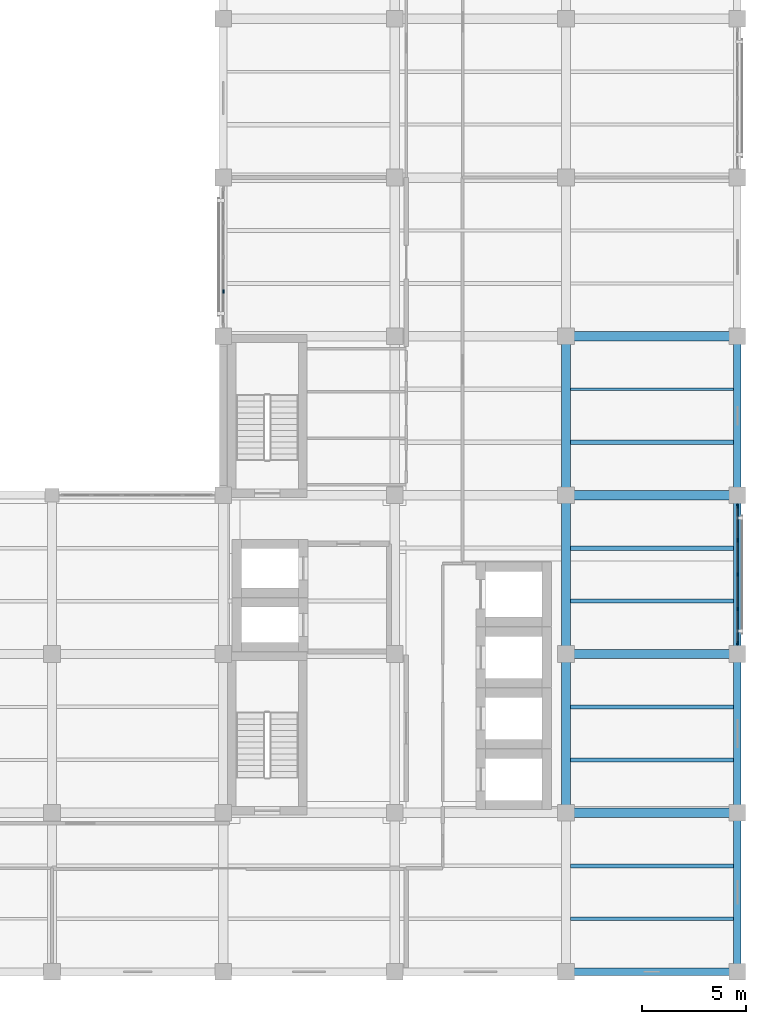
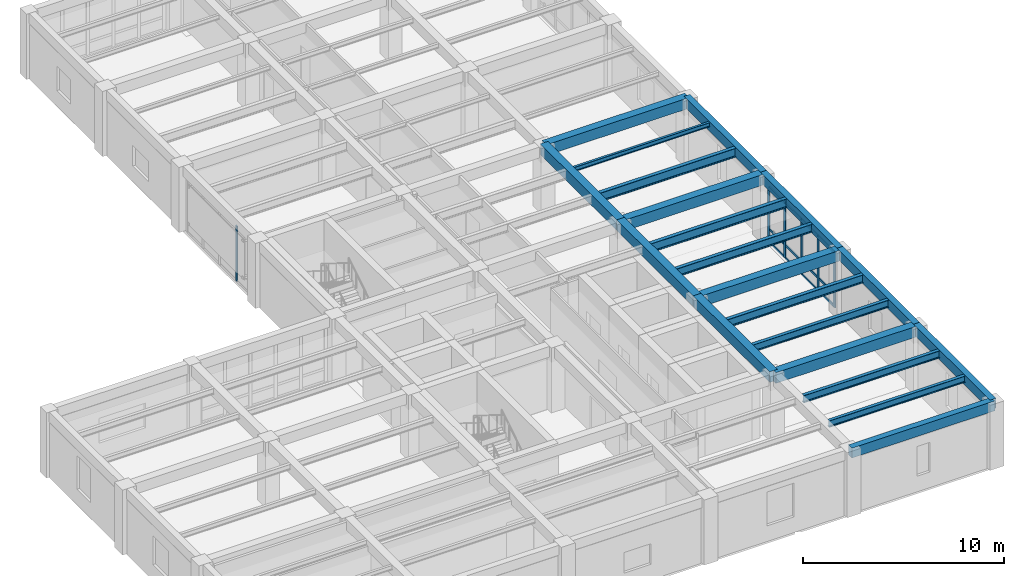
# One storey, part 3 of 13: 20 beams, 18 members, 2 elements without a shape of their own.
"""IFC4 building model written with IfcOpenShell, lengths in metres."""

import ifcopenshell
import ifcopenshell.guid

model = None  # the IFC model being written
_history = None  # IfcOwnerHistory: only IFC2X3 demands one
_inside = {}  # id of a spatial element -> (the spatial element, [elements in it])
_under = {}  # id of a project, library or spatial element -> (it, [spatial elements below it])
_declared = {}  # id of a project -> (the project, [libraries it declares])
_typed = {}  # id of a type object -> (the type object, [elements of that type])
_made_of = {}  # id of a material, layer set ... -> (it, [elements and type objects made of it])


def new_model(schema):
    """Start an empty IFC model of exactly this schema.

    Asked for "IFC4X3", IfcOpenShell would pick the latest addendum, in which some entities
    have other attributes; the version numbers below select the first issue.
    IFC2X3 requires an IfcOwnerHistory on every rooted entity: one is made here for all.
    """
    global model, _history
    if schema == "IFC4X3":
        model = ifcopenshell.file(schema_version=(4, 3, 0, 0))
    else:
        model = ifcopenshell.file(schema=schema)
    _inside.clear()
    _under.clear()
    _declared.clear()
    _typed.clear()
    _made_of.clear()
    _history = None
    if model.schema == "IFC2X3":
        org = make("IfcOrganization", Name="unknown")
        user = make(
            "IfcPersonAndOrganization",
            ThePerson=make("IfcPerson", FamilyName="unknown"),
            TheOrganization=org,
        )
        app = make(
            "IfcApplication",
            ApplicationDeveloper=org,
            Version="unknown",
            ApplicationFullName="unknown",
            ApplicationIdentifier="unknown",
        )
        _history = make(
            "IfcOwnerHistory",
            OwningUser=user,
            OwningApplication=app,
            ChangeAction="ADDED",
            CreationDate=0,
        )
    return model


def make(cls, **values):
    """One entity of the class cls with the attributes given. An attribute that is None is left unset."""
    return model.create_entity(
        cls, **{name: value for name, value in values.items() if value is not None}
    )


def rooted(cls, **values):
    """An entity with a GlobalId (a new one), such as an element, a storey or a relation."""
    return make(cls, GlobalId=ifcopenshell.guid.new(), OwnerHistory=_history, **values)


def si_unit(unit_type, name, prefix=None):
    """IfcSIUnit, for example si_unit("LENGTHUNIT", "METRE", prefix="MILLI")."""
    return make("IfcSIUnit", UnitType=unit_type, Prefix=prefix, Name=name)


def assignment(units):
    """IfcUnitAssignment: the units of a project."""
    return None if units is None else make("IfcUnitAssignment", Units=units)


def point(xyz):
    """IfcCartesianPoint."""
    return None if xyz is None else make("IfcCartesianPoint", Coordinates=xyz)


def direction(xyz):
    """IfcDirection."""
    return None if xyz is None else make("IfcDirection", DirectionRatios=xyz)


def frame(location, z_axis=None, x_axis=None):
    """IfcAxis2Placement3D, a coordinate frame: its origin and axes. An axis left out is left unset."""
    return make(
        "IfcAxis2Placement3D",
        Location=point(location),
        Axis=direction(z_axis),
        RefDirection=direction(x_axis),
    )


def frame_2d(location, x_axis=None):
    """IfcAxis2Placement2D, a coordinate frame in the plane: its origin and x axis."""
    return make(
        "IfcAxis2Placement2D", Location=point(location), RefDirection=direction(x_axis)
    )


def origin():
    """The frame at (0, 0, 0) with its axes left unset."""
    return frame((0.0, 0.0, 0.0))


def origin_2d():
    """The frame at (0, 0) in the plane with its x axis left unset."""
    return frame_2d((0.0, 0.0))


def place(relative_to, where):
    """IfcLocalPlacement: puts the frame where relative to a parent placement (None: the world)."""
    return make(
        "IfcLocalPlacement", PlacementRelTo=relative_to, RelativePlacement=where
    )


def context(
    kind, dimensions, precision=None, world=None, true_north=None, identifier=None
):
    """IfcGeometricRepresentationContext, for example the 3D "Model" context."""
    return make(
        "IfcGeometricRepresentationContext",
        ContextIdentifier=identifier,
        ContextType=kind,
        CoordinateSpaceDimension=dimensions,
        Precision=precision,
        WorldCoordinateSystem=world,
        TrueNorth=true_north,
    )


def subcontext(parent, identifier, kind, view, scale=None):
    """IfcGeometricRepresentationSubContext, for example "Body" below "Model"."""
    return make(
        "IfcGeometricRepresentationSubContext",
        ContextIdentifier=identifier,
        ContextType=kind,
        ParentContext=parent,
        TargetScale=scale,
        TargetView=view,
    )


def project(units=None, contexts=None):
    """IfcProject with its units and contexts."""
    return rooted(
        "IfcProject",
        Name="project",
        RepresentationContexts=contexts,
        UnitsInContext=assignment(units),
    )


def spatial(cls, under=None, at=None, **own):
    """A site, building, storey or space (cls), placed at a placement, below another one or the project."""
    s = rooted(cls, ObjectPlacement=at, **own)
    if under is not None:
        _under.setdefault(under.id(), (under, []))[1].append(s)
    return s


def profile(cls, at=None, kind="AREA", **sizes):
    """A parametric profile (cls). Its sizes go by their IFC names, for example OverallWidth=200.0."""
    return make(cls, ProfileType=kind, Position=at, **sizes)


def rectangle(**sizes):
    """IfcRectangleProfileDef."""
    return profile("IfcRectangleProfileDef", **sizes)


def i_section(**sizes):
    """IfcIShapeProfileDef."""
    return profile("IfcIShapeProfileDef", **sizes)


def extrude(swept, where, along, depth):
    """IfcExtrudedAreaSolid: the profile swept, set in the frame where, extruded along a direction by depth."""
    return make(
        "IfcExtrudedAreaSolid",
        SweptArea=swept,
        Position=where,
        ExtrudedDirection=direction(along),
        Depth=depth,
    )


def shape(context_of_items, identifier, shape_type, items):
    """IfcShapeRepresentation: the items that make up one representation, for example the "Body"."""
    return make(
        "IfcShapeRepresentation",
        ContextOfItems=context_of_items,
        RepresentationIdentifier=identifier,
        RepresentationType=shape_type,
        Items=items,
    )


def material(Name=None, Category=None):
    """IfcMaterial."""
    return make("IfcMaterial", Name=Name, Category=Category)


def material_profile(
    of_material, cross_section, Name=None, Category=None, Priority=None
):
    """IfcMaterialProfile: a cross section and its material."""
    return make(
        "IfcMaterialProfile",
        Name=Name,
        Material=of_material,
        Profile=cross_section,
        Priority=Priority,
        Category=Category,
    )


def profile_set(profiles, Name=None, composite=None):
    """IfcMaterialProfileSet."""
    return make(
        "IfcMaterialProfileSet",
        Name=Name,
        MaterialProfiles=profiles,
        CompositeProfile=composite,
    )


def made_of(thing, what):
    """Note that an element or type object is made of a material, layer set ...; save() writes the relation."""
    if what is not None:
        _made_of.setdefault(what.id(), (what, []))[1].append(thing)
    return thing


def type_object(cls, material=None, **own):
    """A type object (cls), such as IfcWallType, which elements share."""
    return made_of(rooted(cls, **own), material)


def element(
    cls,
    number,
    at=None,
    inside=None,
    cuts=None,
    type_object=None,
    material=None,
    context=None,
    identifier="Body",
    shape_type=None,
    held_by="IfcProductDefinitionShape",
    body=None,
    shapes=None,
    **own,
):
    """One element of the class cls, such as IfcWall. Its Tag is "e" and its number.

    at: its placement. inside: the storey or other place that contains it. cuts: it is an
    opening in that element (IfcRelVoidsElement). A single representation is given by context,
    identifier, shape_type and body (its items); several are given by shapes. held_by: the class
    of the entity that holds the representations. save() writes the other relations.
    """
    e = rooted(cls, Tag="e%d" % number, ObjectPlacement=at, **own)
    if body is not None:
        shapes = [shape(context, identifier, shape_type, body)]
    if shapes is not None:
        e.Representation = make(held_by, Representations=shapes)
    if inside is not None:
        _inside.setdefault(inside.id(), (inside, []))[1].append(e)
    if cuts is not None:
        rooted(
            "IfcRelVoidsElement", RelatingBuildingElement=cuts, RelatedOpeningElement=e
        )
    if type_object is not None:
        _typed.setdefault(type_object.id(), (type_object, []))[1].append(e)
    return made_of(e, material)


def aggregate(whole, parts):
    """IfcRelAggregates: a whole, such as a stair, and the parts it consists of."""
    return rooted("IfcRelAggregates", RelatingObject=whole, RelatedObjects=parts)


def save(model, path):
    """Write the relations noted so far, then the file.

    IfcRelAggregates (storeys below a building ...), IfcRelContainedInSpatialStructure (elements
    in a storey), IfcRelDefinesByType, IfcRelAssociatesMaterial and IfcRelDeclares: one each for
    every whole, place, type object, material and project.
    """
    for whole, parts in _under.values():
        aggregate(whole, parts)
    for where, things in _inside.values():
        rooted(
            "IfcRelContainedInSpatialStructure",
            RelatedElements=things,
            RelatingStructure=where,
        )
    for kind, things in _typed.values():
        rooted("IfcRelDefinesByType", RelatedObjects=things, RelatingType=kind)
    for what, things in _made_of.values():
        rooted("IfcRelAssociatesMaterial", RelatedObjects=things, RelatingMaterial=what)
    for by, libraries in _declared.values():
        rooted("IfcRelDeclares", RelatingContext=by, RelatedDefinitions=libraries)
    model.write(path)


model = new_model("IFC4")

# Units and contexts
model_context = context("Model", 3, precision=1e-05, world=origin(), true_north=direction((0.0, 1.0)))
body_context = subcontext(model_context, "Body", "Model", "MODEL_VIEW")
ifc_project = project(units=[si_unit("LENGTHUNIT", "METRE"), si_unit("AREAUNIT", "SQUARE_METRE"), si_unit("VOLUMEUNIT", "CUBIC_METRE"), si_unit("PLANEANGLEUNIT", "RADIAN"), si_unit("MASSUNIT", "GRAM", prefix="KILO")], contexts=[model_context])

# Site, building, storey
site_placement = place(None, origin())
site = spatial("IfcSite", under=ifc_project, at=site_placement, CompositionType="ELEMENT")
building_placement = place(site_placement, origin())
building = spatial("IfcBuilding", under=site, at=building_placement, Name="Qandaris Square Conservatory and Botanical Centre", CompositionType="ELEMENT")
storey_placement = place(building_placement, frame((0.0, 0.0, 45.0)))
storey = spatial("IfcBuildingStorey", under=building, at=storey_placement, Name="L10", CompositionType="ELEMENT", Elevation=45.0)

# Beams
ifc_material_1 = material(Name="Steel S355", Category="steel")
ifc_material_profile_1 = material_profile(ifc_material_1, i_section(OverallWidth=0.18994140625, OverallDepth=0.449951171875, WebThickness=0.009521484375, FlangeThickness=0.0146484375, FilletRadius=0.02099609375, at=origin_2d()), Name="IPE 450")
ifc_profile_set_1 = profile_set([ifc_material_profile_1], Name="Steel S355")
beam_type_1 = type_object("IfcBeamType", Name="Composite Archive Joist IPE 450", PredefinedType="JOIST", material=ifc_profile_set_1)
for number, where, z_axis, x_axis, name in (
    (1, (155.824951171875, 21.666748046875, 3.715087890625), (1.0, 0.0, 0.0), (0.0, 1.0, 0.0), "L10 Composite Joist 2530"),
    (2, (155.824951171875, 26.7333984375, 3.715087890625), (1.0, 0.0, 0.0), (0.0, 1.0, 0.0), "L10 Composite Joist 2531"),
):
    element("IfcBeam", number, at=place(storey_placement, frame(where, z_axis=z_axis, x_axis=x_axis)), inside=storey, type_object=beam_type_1, Name=name, PredefinedType="JOIST", context=body_context, shape_type="SweptSolid", body=[
        extrude(i_section(OverallWidth=0.18994140625, OverallDepth=0.449951171875, WebThickness=0.009521484375, FlangeThickness=0.0146484375, FilletRadius=0.02099609375, at=origin_2d()), origin(), (0.0, 0.0, 1.0), 7.800048828125),
    ])
ifc_material_profile_2 = material_profile(ifc_material_1, i_section(OverallWidth=0.199951171875, OverallDepth=0.5, WebThickness=0.01025390625, FlangeThickness=0.01611328125, FilletRadius=0.02099609375, at=origin_2d()), Name="IPE 500")
ifc_profile_set_2 = profile_set([ifc_material_profile_2], Name="Steel S355")
beam_type_2 = type_object("IfcBeamType", Name="Composite Gallery Joist IPE 500", PredefinedType="JOIST", material=ifc_profile_set_2)
for number, where, z_axis, x_axis, name in (
    (3, (155.824951171875, 29.2666015625, 3.68994140625), (1.0, 0.0, 0.0), (0.0, 1.0, 0.0), "L10 Composite Joist 2532"),
    (4, (155.824951171875, 34.333251953125, 3.68994140625), (1.0, 0.0, 0.0), (0.0, 1.0, 0.0), "L10 Composite Joist 2533"),
):
    element("IfcBeam", number, at=place(storey_placement, frame(where, z_axis=z_axis, x_axis=x_axis)), inside=storey, type_object=beam_type_2, Name=name, PredefinedType="JOIST", context=body_context, shape_type="SweptSolid", body=[
        extrude(i_section(OverallWidth=0.199951171875, OverallDepth=0.5, WebThickness=0.01025390625, FlangeThickness=0.01611328125, FilletRadius=0.02099609375, at=origin_2d()), origin(), (0.0, 0.0, 1.0), 7.800048828125),
    ])
ifc_material_profile_3 = material_profile(ifc_material_1, i_section(OverallWidth=0.179931640625, OverallDepth=0.39990234375, WebThickness=0.008544921875, FlangeThickness=0.013427734375, FilletRadius=0.02099609375, at=origin_2d()), Name="IPE 400")
ifc_profile_set_3 = profile_set([ifc_material_profile_3], Name="Steel S355")
beam_type_3 = type_object("IfcBeamType", Name="Composite Plinth Joist IPE 400", PredefinedType="JOIST", material=ifc_profile_set_3)
beam_1_placement = place(storey_placement, frame((155.824951171875, 19.13330078125, 3.739990234375), z_axis=(1.0, 0.0, 0.0), x_axis=(0.0, 1.0, 0.0)))
element("IfcBeam", 5, at=beam_1_placement, inside=storey, type_object=beam_type_3, Name="L10 Composite Joist 2529", PredefinedType="JOIST", context=body_context, shape_type="SweptSolid", body=[
    extrude(i_section(OverallWidth=0.179931640625, OverallDepth=0.39990234375, WebThickness=0.008544921875, FlangeThickness=0.013427734375, FilletRadius=0.02099609375, at=origin_2d()), origin(), (0.0, 0.0, 1.0), 7.800048828125),
])

# Curtain wall, members
ifc_material_2 = material(Name="Anodised Aluminium", Category="aluminium")
curtain_wall_type = type_object("IfcCurtainWallType", Name="Unitised Curtain Wall CW-4-660x335", PredefinedType="USERDEFINED", material=ifc_material_2)
curtain_wall_1_placement = place(storey_placement, origin())
curtain_wall_1 = element("IfcCurtainWall", 6, at=curtain_wall_1_placement, inside=storey, type_object=curtain_wall_type, Name="Curtain Wall CW-TWR-L10-2-3", ObjectType="GLAZED CURTAIN WALL", PredefinedType="USERDEFINED")
ifc_material_profile_4 = material_profile(ifc_material_2, rectangle(XDim=0.06494140625, YDim=0.179931640625, at=origin_2d()), Name="ALU-MUL 65x180")
ifc_profile_set_4 = profile_set([ifc_material_profile_4], Name="Anodised Aluminium")
member_type_1 = type_object("IfcMemberType", Name="Curtain Wall Mullion 65x180", PredefinedType="MULLION", material=ifc_profile_set_4)
member_1_placement = place(storey_placement, frame((163.800048828125, 32.33251953125, 0.0), z_axis=(0.0, 0.0, 1.0), x_axis=(-1.0, 0.0, 0.0)))
member_1 = element("IfcMember", 7, at=member_1_placement, type_object=member_type_1, Name="CW-4-660x335 mullion 1", PredefinedType="MULLION", context=body_context, shape_type="SweptSolid", body=[
    extrude(rectangle(XDim=0.06494140625, YDim=0.179931640625, at=origin_2d()), origin(), (0.0, 0.0, 1.0), 3.35009765625),
])
member_2_placement = place(storey_placement, frame((163.800048828125, 33.949951171875, 0.0), z_axis=(0.0, 0.0, 1.0), x_axis=(-1.0, 0.0, 0.0)))
member_2 = element("IfcMember", 8, at=member_2_placement, type_object=member_type_1, Name="CW-4-660x335 mullion 2", PredefinedType="MULLION", context=body_context, shape_type="SweptSolid", body=[
    extrude(rectangle(XDim=0.06494140625, YDim=0.179931640625, at=origin_2d()), origin(), (0.0, 0.0, 1.0), 3.35009765625),
])
member_3_placement = place(storey_placement, frame((163.800048828125, 35.60009765625, 0.0), z_axis=(0.0, 0.0, 1.0), x_axis=(-1.0, 0.0, 0.0)))
member_3 = element("IfcMember", 9, at=member_3_placement, type_object=member_type_1, Name="CW-4-660x335 mullion 3", PredefinedType="MULLION", context=body_context, shape_type="SweptSolid", body=[
    extrude(rectangle(XDim=0.06494140625, YDim=0.179931640625, at=origin_2d()), origin(), (0.0, 0.0, 1.0), 3.35009765625),
])
member_4_placement = place(storey_placement, frame((163.800048828125, 37.25, 0.0), z_axis=(0.0, 0.0, 1.0), x_axis=(-1.0, 0.0, 0.0)))
member_4 = element("IfcMember", 10, at=member_4_placement, type_object=member_type_1, Name="CW-4-660x335 mullion 4", PredefinedType="MULLION", context=body_context, shape_type="SweptSolid", body=[
    extrude(rectangle(XDim=0.06494140625, YDim=0.179931640625, at=origin_2d()), origin(), (0.0, 0.0, 1.0), 3.35009765625),
])
member_5_placement = place(storey_placement, frame((163.800048828125, 38.867431640625, 0.0), z_axis=(0.0, 0.0, 1.0), x_axis=(-1.0, 0.0, 0.0)))
member_5 = element("IfcMember", 11, at=member_5_placement, type_object=member_type_1, Name="CW-4-660x335 mullion 5", PredefinedType="MULLION", context=body_context, shape_type="SweptSolid", body=[
    extrude(rectangle(XDim=0.06494140625, YDim=0.179931640625, at=origin_2d()), origin(), (0.0, 0.0, 1.0), 3.35009765625),
])

# Curtain wall, member
curtain_wall_2_placement = place(storey_placement, origin())
curtain_wall_2 = element("IfcCurtainWall", 12, at=curtain_wall_2_placement, inside=storey, type_object=curtain_wall_type, Name="Curtain Wall CW-TWR-L10-4-3", ObjectType="GLAZED CURTAIN WALL", PredefinedType="USERDEFINED")
member_6_placement = place(storey_placement, frame((139.199951171875, 49.14990234375, 0.0), z_axis=(0.0, 0.0, 1.0), x_axis=(1.0, 0.0, 0.0)))
member_6 = element("IfcMember", 13, at=member_6_placement, type_object=member_type_1, Name="CW-4-660x335 mullion 4", PredefinedType="MULLION", context=body_context, shape_type="SweptSolid", body=[
    extrude(rectangle(XDim=0.06494140625, YDim=0.179931640625, at=origin_2d()), origin(), (0.0, 0.0, 1.0), 3.35009765625),
])
aggregate(curtain_wall_2, [member_6])

# Member
ifc_material_profile_5 = material_profile(ifc_material_2, rectangle(XDim=0.06494140625, YDim=0.139892578125, at=origin_2d()), Name="ALU-TRN 65x140")
ifc_profile_set_5 = profile_set([ifc_material_profile_5], Name="Anodised Aluminium")
member_type_2 = type_object("IfcMemberType", Name="Curtain Wall Transom 65x140", PredefinedType="USERDEFINED", material=ifc_profile_set_5)
member_7_placement = place(storey_placement, frame((163.800048828125, 32.364990234375, 0.032470703125), z_axis=(0.0, 1.0, 0.0), x_axis=(-1.0, 0.0, 0.0)))
member_7 = element("IfcMember", 14, at=member_7_placement, type_object=member_type_2, Name="CW-4-660x335 transom 1.1", ObjectType="TRANSOM", PredefinedType="USERDEFINED", context=body_context, shape_type="SweptSolid", body=[
    extrude(rectangle(XDim=0.06494140625, YDim=0.139892578125, at=origin_2d()), origin(), (0.0, 0.0, 1.0), 1.552490234375),
])

member_8_placement = place(storey_placement, frame((163.800048828125, 32.364990234375, 0.803955078125), z_axis=(0.0, 1.0, 0.0), x_axis=(-1.0, 0.0, 0.0)))
member_8 = element("IfcMember", 15, at=member_8_placement, type_object=member_type_2, Name="CW-4-660x335 transom 1.2", ObjectType="TRANSOM", PredefinedType="USERDEFINED", context=body_context, shape_type="SweptSolid", body=[
    extrude(rectangle(XDim=0.06494140625, YDim=0.139892578125, at=origin_2d()), origin(), (0.0, 0.0, 1.0), 1.552490234375),
])

member_9_placement = place(storey_placement, frame((163.800048828125, 32.364990234375, 3.3173828125), z_axis=(0.0, 1.0, 0.0), x_axis=(-1.0, 0.0, 0.0)))
member_9 = element("IfcMember", 16, at=member_9_placement, type_object=member_type_2, Name="CW-4-660x335 transom 1.3", ObjectType="TRANSOM", PredefinedType="USERDEFINED", context=body_context, shape_type="SweptSolid", body=[
    extrude(rectangle(XDim=0.06494140625, YDim=0.139892578125, at=origin_2d()), origin(), (0.0, 0.0, 1.0), 1.552490234375),
])

member_10_placement = place(storey_placement, frame((163.800048828125, 33.982421875, 0.032470703125), z_axis=(0.0, 1.0, 0.0), x_axis=(-1.0, 0.0, 0.0)))
member_10 = element("IfcMember", 17, at=member_10_placement, type_object=member_type_2, Name="CW-4-660x335 transom 2.1", ObjectType="TRANSOM", PredefinedType="USERDEFINED", context=body_context, shape_type="SweptSolid", body=[
    extrude(rectangle(XDim=0.06494140625, YDim=0.139892578125, at=origin_2d()), origin(), (0.0, 0.0, 1.0), 1.5849609375),
])

member_11_placement = place(storey_placement, frame((163.800048828125, 33.982421875, 0.803955078125), z_axis=(0.0, 1.0, 0.0), x_axis=(-1.0, 0.0, 0.0)))
member_11 = element("IfcMember", 18, at=member_11_placement, type_object=member_type_2, Name="CW-4-660x335 transom 2.2", ObjectType="TRANSOM", PredefinedType="USERDEFINED", context=body_context, shape_type="SweptSolid", body=[
    extrude(rectangle(XDim=0.06494140625, YDim=0.139892578125, at=origin_2d()), origin(), (0.0, 0.0, 1.0), 1.5849609375),
])

member_12_placement = place(storey_placement, frame((163.800048828125, 33.982421875, 3.3173828125), z_axis=(0.0, 1.0, 0.0), x_axis=(-1.0, 0.0, 0.0)))
member_12 = element("IfcMember", 19, at=member_12_placement, type_object=member_type_2, Name="CW-4-660x335 transom 2.3", ObjectType="TRANSOM", PredefinedType="USERDEFINED", context=body_context, shape_type="SweptSolid", body=[
    extrude(rectangle(XDim=0.06494140625, YDim=0.139892578125, at=origin_2d()), origin(), (0.0, 0.0, 1.0), 1.5849609375),
])

member_13_placement = place(storey_placement, frame((163.800048828125, 35.632568359375, 0.032470703125), z_axis=(0.0, 1.0, 0.0), x_axis=(-1.0, 0.0, 0.0)))
member_13 = element("IfcMember", 20, at=member_13_placement, type_object=member_type_2, Name="CW-4-660x335 transom 3.1", ObjectType="TRANSOM", PredefinedType="USERDEFINED", context=body_context, shape_type="SweptSolid", body=[
    extrude(rectangle(XDim=0.06494140625, YDim=0.139892578125, at=origin_2d()), origin(), (0.0, 0.0, 1.0), 1.5849609375),
])

member_14_placement = place(storey_placement, frame((163.800048828125, 35.632568359375, 0.803955078125), z_axis=(0.0, 1.0, 0.0), x_axis=(-1.0, 0.0, 0.0)))
member_14 = element("IfcMember", 21, at=member_14_placement, type_object=member_type_2, Name="CW-4-660x335 transom 3.2", ObjectType="TRANSOM", PredefinedType="USERDEFINED", context=body_context, shape_type="SweptSolid", body=[
    extrude(rectangle(XDim=0.06494140625, YDim=0.139892578125, at=origin_2d()), origin(), (0.0, 0.0, 1.0), 1.5849609375),
])

member_15_placement = place(storey_placement, frame((163.800048828125, 35.632568359375, 3.3173828125), z_axis=(0.0, 1.0, 0.0), x_axis=(-1.0, 0.0, 0.0)))
member_15 = element("IfcMember", 22, at=member_15_placement, type_object=member_type_2, Name="CW-4-660x335 transom 3.3", ObjectType="TRANSOM", PredefinedType="USERDEFINED", context=body_context, shape_type="SweptSolid", body=[
    extrude(rectangle(XDim=0.06494140625, YDim=0.139892578125, at=origin_2d()), origin(), (0.0, 0.0, 1.0), 1.5849609375),
])

member_16_placement = place(storey_placement, frame((163.800048828125, 37.282470703125, 0.032470703125), z_axis=(0.0, 1.0, 0.0), x_axis=(-1.0, 0.0, 0.0)))
member_16 = element("IfcMember", 23, at=member_16_placement, type_object=member_type_2, Name="CW-4-660x335 transom 4.1", ObjectType="TRANSOM", PredefinedType="USERDEFINED", context=body_context, shape_type="SweptSolid", body=[
    extrude(rectangle(XDim=0.06494140625, YDim=0.139892578125, at=origin_2d()), origin(), (0.0, 0.0, 1.0), 1.552490234375),
])

member_17_placement = place(storey_placement, frame((163.800048828125, 37.282470703125, 0.803955078125), z_axis=(0.0, 1.0, 0.0), x_axis=(-1.0, 0.0, 0.0)))
member_17 = element("IfcMember", 24, at=member_17_placement, type_object=member_type_2, Name="CW-4-660x335 transom 4.2", ObjectType="TRANSOM", PredefinedType="USERDEFINED", context=body_context, shape_type="SweptSolid", body=[
    extrude(rectangle(XDim=0.06494140625, YDim=0.139892578125, at=origin_2d()), origin(), (0.0, 0.0, 1.0), 1.552490234375),
])

member_18_placement = place(storey_placement, frame((163.800048828125, 37.282470703125, 3.3173828125), z_axis=(0.0, 1.0, 0.0), x_axis=(-1.0, 0.0, 0.0)))
member_18 = element("IfcMember", 25, at=member_18_placement, type_object=member_type_2, Name="CW-4-660x335 transom 4.3", ObjectType="TRANSOM", PredefinedType="USERDEFINED", context=body_context, shape_type="SweptSolid", body=[
    extrude(rectangle(XDim=0.06494140625, YDim=0.139892578125, at=origin_2d()), origin(), (0.0, 0.0, 1.0), 1.552490234375),
])

aggregate(curtain_wall_1, [member_1, member_2, member_3, member_4, member_5, member_7, member_8, member_9, member_10, member_11, member_12, member_13, member_14, member_15, member_16, member_17, member_18])

# Beams
ifc_material_profile_6 = material_profile(ifc_material_1, i_section(OverallWidth=0.2099609375, OverallDepth=0.550048828125, WebThickness=0.010986328125, FlangeThickness=0.01708984375, FilletRadius=0.02392578125, at=origin_2d()), Name="IPE 550")
ifc_profile_set_6 = profile_set([ifc_material_profile_6], Name="Steel S355")
beam_type_4 = type_object("IfcBeamType", Name="Long-Span Foyer Joist IPE 550", PredefinedType="JOIST", material=ifc_profile_set_6)
for number, where, z_axis, x_axis, name in (
    (26, (155.824951171875, 36.86669921875, 3.6650390625), (1.0, 0.0, 0.0), (0.0, 1.0, 0.0), "L10 Composite Joist 2534"),
    (27, (155.824951171875, 41.933349609375, 3.6650390625), (1.0, 0.0, 0.0), (0.0, 1.0, 0.0), "L10 Composite Joist 2535"),
):
    element("IfcBeam", number, at=place(storey_placement, frame(where, z_axis=z_axis, x_axis=x_axis)), inside=storey, type_object=beam_type_4, Name=name, PredefinedType="JOIST", context=body_context, shape_type="SweptSolid", body=[
        extrude(i_section(OverallWidth=0.2099609375, OverallDepth=0.550048828125, WebThickness=0.010986328125, FlangeThickness=0.01708984375, FilletRadius=0.02392578125, at=origin_2d()), origin(), (0.0, 0.0, 1.0), 7.800048828125),
    ])
ifc_material_3 = material(Name="Concrete C50/60", Category="concrete")
ifc_material_profile_7 = material_profile(ifc_material_3, rectangle(XDim=0.35009765625, YDim=0.60009765625, at=origin_2d()), Name="RC-SP 350x600")
ifc_profile_set_7 = profile_set([ifc_material_profile_7], Name="Concrete C50/60")
beam_type_5 = type_object("IfcBeamType", Name="RC Edge Spandrel Beam 350x600", PredefinedType="SPANDREL", material=ifc_profile_set_7)
beam_2_placement = place(storey_placement, frame((155.60009765625, 16.60009765625, 3.64990234375), z_axis=(1.0, 0.0, 0.0), x_axis=(0.0, 1.0, 0.0)))
element("IfcBeam", 28, at=beam_2_placement, inside=storey, type_object=beam_type_5, Name="L10 Frame Beam 2436", PredefinedType="SPANDREL", context=body_context, shape_type="SweptSolid", body=[
    extrude(rectangle(XDim=0.35009765625, YDim=0.60009765625, at=origin_2d()), origin(), (0.0, 0.0, 1.0), 8.199951171875),
])
beam_3_placement = place(storey_placement, frame((163.800048828125, 16.60009765625, 3.64990234375), z_axis=(0.0, 1.0, 0.0), x_axis=(-1.0, 0.0, 0.0)))
element("IfcBeam", 29, at=beam_3_placement, inside=storey, type_object=beam_type_5, Name="L10 Frame Beam 2490", PredefinedType="SPANDREL", context=body_context, shape_type="SweptSolid", body=[
    extrude(rectangle(XDim=0.35009765625, YDim=0.60009765625, at=origin_2d()), origin(), (0.0, 0.0, 1.0), 7.599853515625),
])
beam_4_placement = place(storey_placement, frame((163.800048828125, 24.199951171875, 3.64990234375), z_axis=(0.0, 1.0, 0.0), x_axis=(-1.0, 0.0, 0.0)))
element("IfcBeam", 30, at=beam_4_placement, inside=storey, type_object=beam_type_5, Name="L10 Frame Beam 2491", PredefinedType="SPANDREL", context=body_context, shape_type="SweptSolid", body=[
    extrude(rectangle(XDim=0.35009765625, YDim=0.60009765625, at=origin_2d()), origin(), (0.0, 0.0, 1.0), 7.60009765625),
])
beam_5_placement = place(storey_placement, frame((163.800048828125, 31.800048828125, 3.64990234375), z_axis=(0.0, 1.0, 0.0), x_axis=(-1.0, 0.0, 0.0)))
element("IfcBeam", 31, at=beam_5_placement, inside=storey, type_object=beam_type_5, Name="L10 Frame Beam 2492", PredefinedType="SPANDREL", context=body_context, shape_type="SweptSolid", body=[
    extrude(rectangle(XDim=0.35009765625, YDim=0.60009765625, at=origin_2d()), origin(), (0.0, 0.0, 1.0), 7.599853515625),
])
beam_6_placement = place(storey_placement, frame((163.800048828125, 39.39990234375, 3.64990234375), z_axis=(0.0, 1.0, 0.0), x_axis=(-1.0, 0.0, 0.0)))
element("IfcBeam", 32, at=beam_6_placement, inside=storey, type_object=beam_type_5, Name="L10 Frame Beam 2493", PredefinedType="SPANDREL", context=body_context, shape_type="SweptSolid", body=[
    extrude(rectangle(XDim=0.35009765625, YDim=0.60009765625, at=origin_2d()), origin(), (0.0, 0.0, 1.0), 7.60009765625),
])
ifc_material_profile_8 = material_profile(ifc_material_3, rectangle(XDim=0.449951171875, YDim=0.64990234375, at=origin_2d()), Name="RC-BM 450x650")
ifc_profile_set_8 = profile_set([ifc_material_profile_8], Name="Concrete C50/60")
beam_type_6 = type_object("IfcBeamType", Name="RC Floor Girder 450x650", PredefinedType="BEAM", material=ifc_profile_set_8)
for number, where, z_axis, x_axis, name in (
    (33, (155.60009765625, 24.199951171875, 3.625), (1.0, 0.0, 0.0), (0.0, 1.0, 0.0), "L10 Frame Beam 2441"),
    (34, (155.60009765625, 31.800048828125, 3.625), (1.0, 0.0, 0.0), (0.0, 1.0, 0.0), "L10 Frame Beam 2445"),
    (35, (155.60009765625, 39.39990234375, 3.625), (1.0, 0.0, 0.0), (0.0, 1.0, 0.0), "L10 Frame Beam 2450"),
    (36, (155.60009765625, 47.0, 3.625), (1.0, 0.0, 0.0), (0.0, 1.0, 0.0), "L10 Frame Beam 2453"),
):
    element("IfcBeam", number, at=place(storey_placement, frame(where, z_axis=z_axis, x_axis=x_axis)), inside=storey, type_object=beam_type_6, Name=name, PredefinedType="BEAM", context=body_context, shape_type="SweptSolid", body=[
        extrude(rectangle(XDim=0.449951171875, YDim=0.64990234375, at=origin_2d()), origin(), (0.0, 0.0, 1.0), 8.199951171875),
    ])
beam_7_placement = place(storey_placement, frame((155.60009765625, 24.199951171875, 3.625), z_axis=(0.0, 1.0, 0.0), x_axis=(-1.0, 0.0, 0.0)))
element("IfcBeam", 37, at=beam_7_placement, inside=storey, type_object=beam_type_6, Name="L10 Frame Beam 2484", PredefinedType="BEAM", context=body_context, shape_type="SweptSolid", body=[
    extrude(rectangle(XDim=0.449951171875, YDim=0.64990234375, at=origin_2d()), origin(), (0.0, 0.0, 1.0), 7.60009765625),
])
beam_8_placement = place(storey_placement, frame((155.60009765625, 31.800048828125, 3.625), z_axis=(0.0, 1.0, 0.0), x_axis=(-1.0, 0.0, 0.0)))
element("IfcBeam", 38, at=beam_8_placement, inside=storey, type_object=beam_type_6, Name="L10 Frame Beam 2485", PredefinedType="BEAM", context=body_context, shape_type="SweptSolid", body=[
    extrude(rectangle(XDim=0.449951171875, YDim=0.64990234375, at=origin_2d()), origin(), (0.0, 0.0, 1.0), 7.599853515625),
])
beam_9_placement = place(storey_placement, frame((155.60009765625, 39.39990234375, 3.625), z_axis=(0.0, 1.0, 0.0), x_axis=(-1.0, 0.0, 0.0)))
element("IfcBeam", 39, at=beam_9_placement, inside=storey, type_object=beam_type_6, Name="L10 Frame Beam 2486", PredefinedType="BEAM", context=body_context, shape_type="SweptSolid", body=[
    extrude(rectangle(XDim=0.449951171875, YDim=0.64990234375, at=origin_2d()), origin(), (0.0, 0.0, 1.0), 7.60009765625),
])
ifc_material_profile_9 = material_profile(ifc_material_1, i_section(OverallWidth=0.135009765625, OverallDepth=0.27001953125, WebThickness=0.006591796875, FlangeThickness=0.01025390625, FilletRadius=0.014892578125, at=origin_2d()), Name="IPE 270")
ifc_profile_set_9 = profile_set([ifc_material_profile_9], Name="Steel S355")
beam_type_7 = type_object("IfcBeamType", Name="Steel Floor Joist IPE 270", PredefinedType="JOIST", material=ifc_profile_set_9)
beam_10_placement = place(storey_placement, frame((155.824951171875, 44.466796875, 3.804931640625), z_axis=(1.0, 0.0, 0.0), x_axis=(0.0, 1.0, 0.0)))
element("IfcBeam", 40, at=beam_10_placement, inside=storey, type_object=beam_type_7, Name="L10 Composite Joist 2536", PredefinedType="JOIST", context=body_context, shape_type="SweptSolid", body=[
    extrude(i_section(OverallWidth=0.135009765625, OverallDepth=0.27001953125, WebThickness=0.006591796875, FlangeThickness=0.01025390625, FilletRadius=0.014892578125, at=origin_2d()), origin(), (0.0, 0.0, 1.0), 7.800048828125),
])

save(model, "model.ifc")
